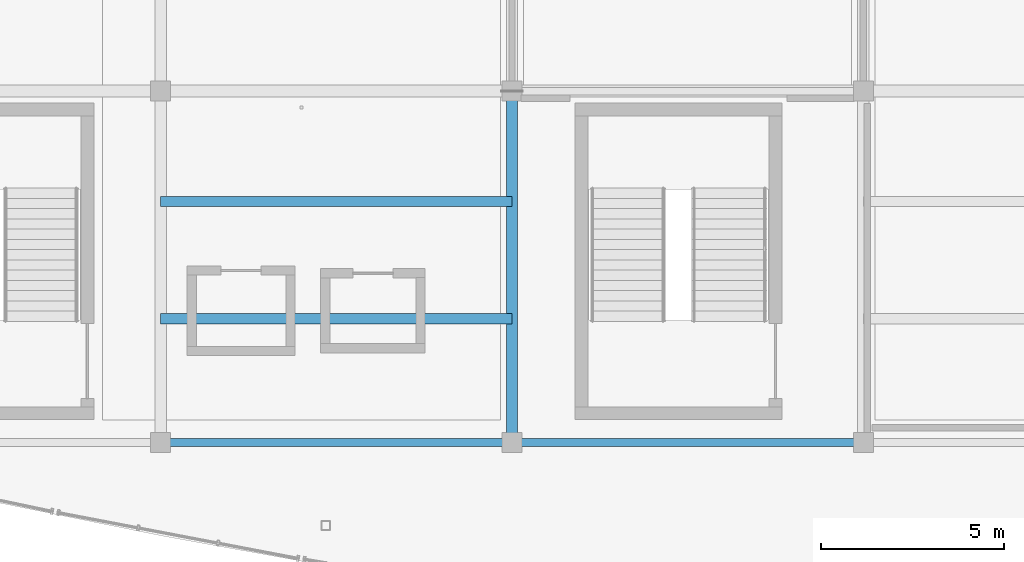
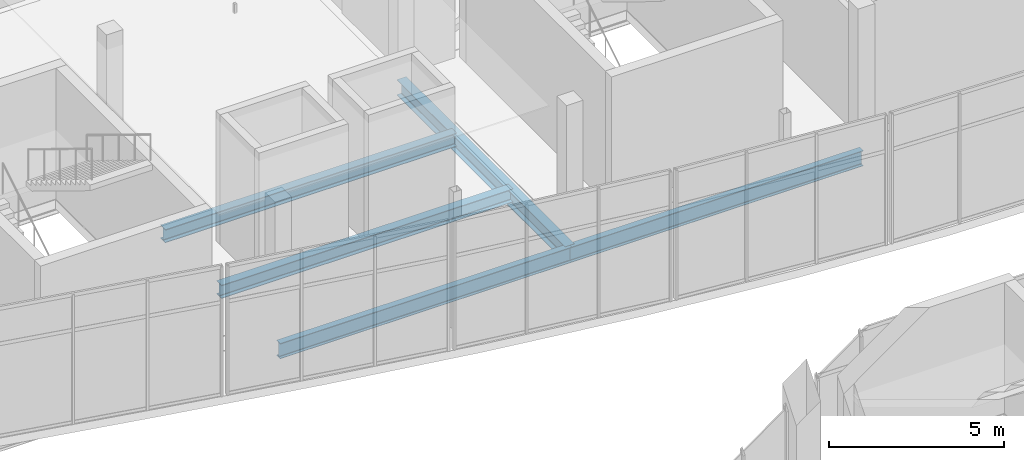
# One storey, part 80 of 157: 5 beams.
"""IFC4 building model written with IfcOpenShell, lengths in metres."""

import ifcopenshell
import ifcopenshell.guid

model = None  # the IFC model being written
_history = None  # IfcOwnerHistory: only IFC2X3 demands one
_inside = {}  # id of a spatial element -> (the spatial element, [elements in it])
_under = {}  # id of a project, library or spatial element -> (it, [spatial elements below it])
_declared = {}  # id of a project -> (the project, [libraries it declares])
_typed = {}  # id of a type object -> (the type object, [elements of that type])
_made_of = {}  # id of a material, layer set ... -> (it, [elements and type objects made of it])


def new_model(schema):
    """Start an empty IFC model of exactly this schema.

    Asked for "IFC4X3", IfcOpenShell would pick the latest addendum, in which some entities
    have other attributes; the version numbers below select the first issue.
    IFC2X3 requires an IfcOwnerHistory on every rooted entity: one is made here for all.
    """
    global model, _history
    if schema == "IFC4X3":
        model = ifcopenshell.file(schema_version=(4, 3, 0, 0))
    else:
        model = ifcopenshell.file(schema=schema)
    _inside.clear()
    _under.clear()
    _declared.clear()
    _typed.clear()
    _made_of.clear()
    _history = None
    if model.schema == "IFC2X3":
        org = make("IfcOrganization", Name="unknown")
        user = make(
            "IfcPersonAndOrganization",
            ThePerson=make("IfcPerson", FamilyName="unknown"),
            TheOrganization=org,
        )
        app = make(
            "IfcApplication",
            ApplicationDeveloper=org,
            Version="unknown",
            ApplicationFullName="unknown",
            ApplicationIdentifier="unknown",
        )
        _history = make(
            "IfcOwnerHistory",
            OwningUser=user,
            OwningApplication=app,
            ChangeAction="ADDED",
            CreationDate=0,
        )
    return model


def make(cls, **values):
    """One entity of the class cls with the attributes given. An attribute that is None is left unset."""
    return model.create_entity(
        cls, **{name: value for name, value in values.items() if value is not None}
    )


def rooted(cls, **values):
    """An entity with a GlobalId (a new one), such as an element, a storey or a relation."""
    return make(cls, GlobalId=ifcopenshell.guid.new(), OwnerHistory=_history, **values)


def si_unit(unit_type, name, prefix=None):
    """IfcSIUnit, for example si_unit("LENGTHUNIT", "METRE", prefix="MILLI")."""
    return make("IfcSIUnit", UnitType=unit_type, Prefix=prefix, Name=name)


def assignment(units):
    """IfcUnitAssignment: the units of a project."""
    return None if units is None else make("IfcUnitAssignment", Units=units)


def point(xyz):
    """IfcCartesianPoint."""
    return None if xyz is None else make("IfcCartesianPoint", Coordinates=xyz)


def direction(xyz):
    """IfcDirection."""
    return None if xyz is None else make("IfcDirection", DirectionRatios=xyz)


def frame(location, z_axis=None, x_axis=None):
    """IfcAxis2Placement3D, a coordinate frame: its origin and axes. An axis left out is left unset."""
    return make(
        "IfcAxis2Placement3D",
        Location=point(location),
        Axis=direction(z_axis),
        RefDirection=direction(x_axis),
    )


def frame_2d(location, x_axis=None):
    """IfcAxis2Placement2D, a coordinate frame in the plane: its origin and x axis."""
    return make(
        "IfcAxis2Placement2D", Location=point(location), RefDirection=direction(x_axis)
    )


def origin():
    """The frame at (0, 0, 0) with its axes left unset."""
    return frame((0.0, 0.0, 0.0))


def origin_2d():
    """The frame at (0, 0) in the plane with its x axis left unset."""
    return frame_2d((0.0, 0.0))


def place(relative_to, where):
    """IfcLocalPlacement: puts the frame where relative to a parent placement (None: the world)."""
    return make(
        "IfcLocalPlacement", PlacementRelTo=relative_to, RelativePlacement=where
    )


def context(
    kind, dimensions, precision=None, world=None, true_north=None, identifier=None
):
    """IfcGeometricRepresentationContext, for example the 3D "Model" context."""
    return make(
        "IfcGeometricRepresentationContext",
        ContextIdentifier=identifier,
        ContextType=kind,
        CoordinateSpaceDimension=dimensions,
        Precision=precision,
        WorldCoordinateSystem=world,
        TrueNorth=true_north,
    )


def subcontext(parent, identifier, kind, view, scale=None):
    """IfcGeometricRepresentationSubContext, for example "Body" below "Model"."""
    return make(
        "IfcGeometricRepresentationSubContext",
        ContextIdentifier=identifier,
        ContextType=kind,
        ParentContext=parent,
        TargetScale=scale,
        TargetView=view,
    )


def project(units=None, contexts=None):
    """IfcProject with its units and contexts."""
    return rooted(
        "IfcProject",
        Name="project",
        RepresentationContexts=contexts,
        UnitsInContext=assignment(units),
    )


def spatial(cls, under=None, at=None, **own):
    """A site, building, storey or space (cls), placed at a placement, below another one or the project."""
    s = rooted(cls, ObjectPlacement=at, **own)
    if under is not None:
        _under.setdefault(under.id(), (under, []))[1].append(s)
    return s


def profile(cls, at=None, kind="AREA", **sizes):
    """A parametric profile (cls). Its sizes go by their IFC names, for example OverallWidth=200.0."""
    return make(cls, ProfileType=kind, Position=at, **sizes)


def i_section(**sizes):
    """IfcIShapeProfileDef."""
    return profile("IfcIShapeProfileDef", **sizes)


def extrude(swept, where, along, depth):
    """IfcExtrudedAreaSolid: the profile swept, set in the frame where, extruded along a direction by depth."""
    return make(
        "IfcExtrudedAreaSolid",
        SweptArea=swept,
        Position=where,
        ExtrudedDirection=direction(along),
        Depth=depth,
    )


def shape(context_of_items, identifier, shape_type, items):
    """IfcShapeRepresentation: the items that make up one representation, for example the "Body"."""
    return make(
        "IfcShapeRepresentation",
        ContextOfItems=context_of_items,
        RepresentationIdentifier=identifier,
        RepresentationType=shape_type,
        Items=items,
    )


def material(Name=None, Category=None):
    """IfcMaterial."""
    return make("IfcMaterial", Name=Name, Category=Category)


def material_profile(
    of_material, cross_section, Name=None, Category=None, Priority=None
):
    """IfcMaterialProfile: a cross section and its material."""
    return make(
        "IfcMaterialProfile",
        Name=Name,
        Material=of_material,
        Profile=cross_section,
        Priority=Priority,
        Category=Category,
    )


def profile_set(profiles, Name=None, composite=None):
    """IfcMaterialProfileSet."""
    return make(
        "IfcMaterialProfileSet",
        Name=Name,
        MaterialProfiles=profiles,
        CompositeProfile=composite,
    )


def made_of(thing, what):
    """Note that an element or type object is made of a material, layer set ...; save() writes the relation."""
    if what is not None:
        _made_of.setdefault(what.id(), (what, []))[1].append(thing)
    return thing


def type_object(cls, material=None, **own):
    """A type object (cls), such as IfcWallType, which elements share."""
    return made_of(rooted(cls, **own), material)


def element(
    cls,
    number,
    at=None,
    inside=None,
    cuts=None,
    type_object=None,
    material=None,
    context=None,
    identifier="Body",
    shape_type=None,
    held_by="IfcProductDefinitionShape",
    body=None,
    shapes=None,
    **own,
):
    """One element of the class cls, such as IfcWall. Its Tag is "e" and its number.

    at: its placement. inside: the storey or other place that contains it. cuts: it is an
    opening in that element (IfcRelVoidsElement). A single representation is given by context,
    identifier, shape_type and body (its items); several are given by shapes. held_by: the class
    of the entity that holds the representations. save() writes the other relations.
    """
    e = rooted(cls, Tag="e%d" % number, ObjectPlacement=at, **own)
    if body is not None:
        shapes = [shape(context, identifier, shape_type, body)]
    if shapes is not None:
        e.Representation = make(held_by, Representations=shapes)
    if inside is not None:
        _inside.setdefault(inside.id(), (inside, []))[1].append(e)
    if cuts is not None:
        rooted(
            "IfcRelVoidsElement", RelatingBuildingElement=cuts, RelatedOpeningElement=e
        )
    if type_object is not None:
        _typed.setdefault(type_object.id(), (type_object, []))[1].append(e)
    return made_of(e, material)


def aggregate(whole, parts):
    """IfcRelAggregates: a whole, such as a stair, and the parts it consists of."""
    return rooted("IfcRelAggregates", RelatingObject=whole, RelatedObjects=parts)


def save(model, path):
    """Write the relations noted so far, then the file.

    IfcRelAggregates (storeys below a building ...), IfcRelContainedInSpatialStructure (elements
    in a storey), IfcRelDefinesByType, IfcRelAssociatesMaterial and IfcRelDeclares: one each for
    every whole, place, type object, material and project.
    """
    for whole, parts in _under.values():
        aggregate(whole, parts)
    for where, things in _inside.values():
        rooted(
            "IfcRelContainedInSpatialStructure",
            RelatedElements=things,
            RelatingStructure=where,
        )
    for kind, things in _typed.values():
        rooted("IfcRelDefinesByType", RelatedObjects=things, RelatingType=kind)
    for what, things in _made_of.values():
        rooted("IfcRelAssociatesMaterial", RelatedObjects=things, RelatingMaterial=what)
    for by, libraries in _declared.values():
        rooted("IfcRelDeclares", RelatingContext=by, RelatedDefinitions=libraries)
    model.write(path)


model = new_model("IFC4")

# Units and contexts
model_context = context("Model", 3, precision=1e-05, world=origin(), true_north=direction((0.0, 1.0)))
body_context = subcontext(model_context, "Body", "Model", "MODEL_VIEW")
ifc_project = project(units=[si_unit("LENGTHUNIT", "METRE"), si_unit("AREAUNIT", "SQUARE_METRE"), si_unit("VOLUMEUNIT", "CUBIC_METRE"), si_unit("PLANEANGLEUNIT", "RADIAN"), si_unit("MASSUNIT", "GRAM", prefix="KILO")], contexts=[model_context])

# Site, building, storey
site_placement = place(None, origin())
site = spatial("IfcSite", under=ifc_project, at=site_placement, CompositionType="ELEMENT")
building_placement = place(site_placement, origin())
building = spatial("IfcBuilding", under=site, at=building_placement, Name="Chalmorin Arch Market", CompositionType="ELEMENT")
storey_placement = place(building_placement, frame((0.0, 0.0, 4.800048828125)))
storey = spatial("IfcBuildingStorey", under=building, at=storey_placement, Name="L01", CompositionType="ELEMENT", Elevation=4.800048828125)

# Beams
ifc_material = material(Name="Steel A992 Grade 50", Category="steel")
ifc_material_profile_1 = material_profile(ifc_material, i_section(OverallWidth=0.31201171875, OverallDepth=0.54296875, WebThickness=0.0126953125, FlangeThickness=0.020263671875, FilletRadius=0.02197265625, at=origin_2d()), Name="W21X101")
ifc_profile_set_1 = profile_set([ifc_material_profile_1], Name="Steel A992 Grade 50")
beam_type_1 = type_object("IfcBeamType", Name="KitchenSteelGirder-W21X101", PredefinedType="BEAM", material=ifc_profile_set_1)
beam_1_placement = place(storey_placement, frame((67.199951171875, 72.0, -0.593505859375), z_axis=(0.0, 1.0, 0.0), x_axis=(-1.0, 0.0, 0.0)))
element("IfcBeam", 1, at=beam_1_placement, inside=storey, type_object=beam_type_1, Name="BG-W21C-0896", PredefinedType="BEAM", context=body_context, shape_type="SweptSolid", body=[
    extrude(i_section(OverallWidth=0.31201171875, OverallDepth=0.54296875, WebThickness=0.0126953125, FlangeThickness=0.020263671875, FilletRadius=0.02197265625, at=origin_2d()), origin(), (0.0, 0.0, 1.0), 9.60009765625),
])
ifc_material_profile_2 = material_profile(ifc_material, i_section(OverallWidth=0.208984375, OverallDepth=0.532958984375, WebThickness=0.01025390625, FlangeThickness=0.015625, FilletRadius=0.02197265625, at=origin_2d()), Name="W21X62")
ifc_profile_set_2 = profile_set([ifc_material_profile_2], Name="Steel A992 Grade 50")
beam_type_2 = type_object("IfcBeamType", Name="PerimeterSpandrelBeam-W21X62", PredefinedType="SPANDREL", material=ifc_profile_set_2)
beam_2_placement = place(storey_placement, frame((57.60009765625, 72.0, -0.588623046875), z_axis=(1.0, 0.0, 0.0), x_axis=(0.0, 1.0, 0.0)))
element("IfcBeam", 2, at=beam_2_placement, inside=storey, type_object=beam_type_2, Name="SP-W21-0894", PredefinedType="SPANDREL", context=body_context, shape_type="SweptSolid", body=[
    extrude(i_section(OverallWidth=0.208984375, OverallDepth=0.532958984375, WebThickness=0.01025390625, FlangeThickness=0.015625, FilletRadius=0.02197265625, at=origin_2d()), origin(), (0.0, 0.0, 1.0), 9.599853515625),
])
beam_3_placement = place(storey_placement, frame((67.199951171875, 72.0, -0.588623046875), z_axis=(1.0, 0.0, 0.0), x_axis=(0.0, 1.0, 0.0)))
element("IfcBeam", 3, at=beam_3_placement, inside=storey, type_object=beam_type_2, Name="SP-W21-0905", PredefinedType="SPANDREL", context=body_context, shape_type="SweptSolid", body=[
    extrude(i_section(OverallWidth=0.208984375, OverallDepth=0.532958984375, WebThickness=0.01025390625, FlangeThickness=0.015625, FilletRadius=0.02197265625, at=origin_2d()), origin(), (0.0, 0.0, 1.0), 9.60009765625),
])
ifc_material_profile_3 = material_profile(ifc_material, i_section(OverallWidth=0.280029296875, OverallDepth=0.462890625, WebThickness=0.0107421875, FlangeThickness=0.017333984375, FilletRadius=0.02001953125, at=origin_2d()), Name="W18X76")
ifc_profile_set_3 = profile_set([ifc_material_profile_3], Name="Steel A992 Grade 50")
beam_type_3 = type_object("IfcBeamType", Name="WorkshopSteelBeam-W18X76", PredefinedType="BEAM", material=ifc_profile_set_3)
for number, where, z_axis, x_axis, name in (
    (4, (57.60009765625, 75.3798828125, -0.553466796875), (1.0, 0.0, 0.0), (0.0, 1.0, 0.0), "BM-W18C-0968"),
    (5, (57.60009765625, 78.580078125, -0.553466796875), (1.0, 0.0, 0.0), (0.0, 1.0, 0.0), "BM-W18C-0969"),
):
    element("IfcBeam", number, at=place(storey_placement, frame(where, z_axis=z_axis, x_axis=x_axis)), inside=storey, type_object=beam_type_3, Name=name, PredefinedType="BEAM", context=body_context, shape_type="SweptSolid", body=[
        extrude(i_section(OverallWidth=0.280029296875, OverallDepth=0.462890625, WebThickness=0.0107421875, FlangeThickness=0.017333984375, FilletRadius=0.02001953125, at=origin_2d()), origin(), (0.0, 0.0, 1.0), 9.599853515625),
    ])

save(model, "model.ifc")
